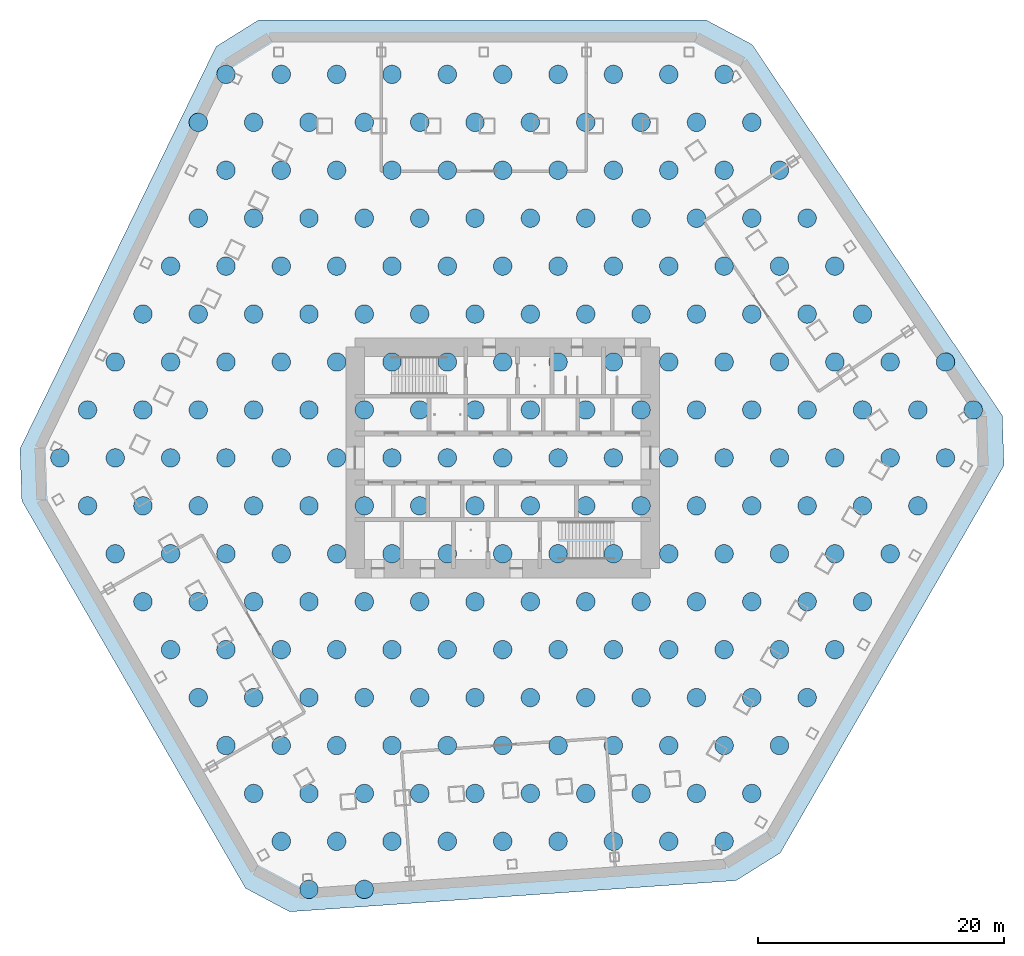
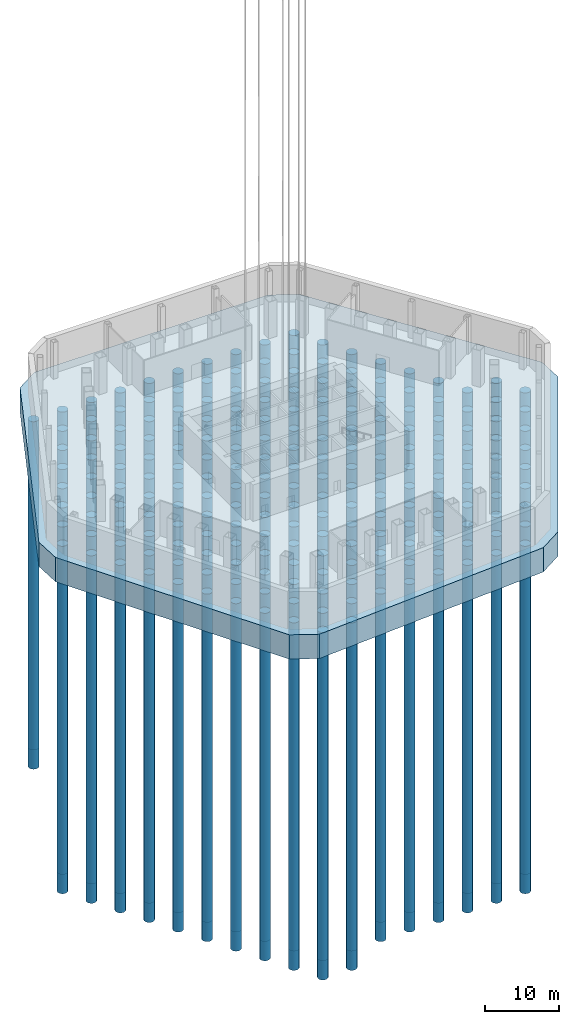
# One storey, part 1 of 12: 223 piles, 1 footing.
"""IFC4 building model written with IfcOpenShell, lengths in metres."""

from ifc_helpers import new_model, si_unit, direction, frame, frame_2d, origin, place, context, subcontext, project, spatial, polyline, circle, outline, extrude, material, layer, layer_set, material_profile, profile_set, type_object, element, save


model = new_model("IFC4")

# Units and contexts
model_context = context("Model", 3, precision=1e-05, world=origin(), true_north=direction((0.0, 1.0)))
body_context = subcontext(model_context, "Body", "Model", "MODEL_VIEW")
ifc_project = project(units=[si_unit("LENGTHUNIT", "METRE"), si_unit("AREAUNIT", "SQUARE_METRE"), si_unit("VOLUMEUNIT", "CUBIC_METRE"), si_unit("PLANEANGLEUNIT", "RADIAN"), si_unit("MASSUNIT", "GRAM", prefix="KILO")], contexts=[model_context])

# Site, building, storey
site_placement = place(None, origin())
site = spatial("IfcSite", under=ifc_project, at=site_placement, CompositionType="ELEMENT")
building_placement = place(site_placement, origin())
building = spatial("IfcBuilding", under=site, at=building_placement, Name="Qingtian Harvest Tower", CompositionType="ELEMENT")
storey_placement = place(building_placement, frame((0.0, 0.0, -12.0)))
storey = spatial("IfcBuildingStorey", under=building, at=storey_placement, Name="B2", CompositionType="ELEMENT", Elevation=-12.0)

# Piles
ifc_material_1 = material(Name="Concrete fc' 42 MPa", Category="concrete")
ifc_material_profile = material_profile(ifc_material_1, circle(Radius=0.75, at=frame_2d((0.0, 0.0), x_axis=(0.999847695156, 0.017452406437))), Name="Bored pile BP1 D1500")
ifc_profile_set = profile_set([ifc_material_profile], Name="Concrete fc' 42 MPa")
pile_type = type_object("IfcPileType", Name="Bored pile BP1 D1500", PredefinedType="BORED", material=ifc_profile_set)
for number, where, z_axis, x_axis, name in (
    (1, (-15.75, -35.073974609375, -4.199951171875), (0.0, 0.0, -1.0), (1.0, 0.0, 0.0), "Bored pile BP1-001"),
    (2, (-11.25, -35.073974609375, -4.199951171875), (0.0, 0.0, -1.0), (1.0, 0.0, 0.0), "Bored pile BP1-002"),
    (3, (-18.0, -31.177001953125, -4.199951171875), (0.0, 0.0, -1.0), (1.0, 0.0, 0.0), "Bored pile BP1-003"),
    (4, (-13.5, -31.177001953125, -4.199951171875), (0.0, 0.0, -1.0), (1.0, 0.0, 0.0), "Bored pile BP1-004"),
    (5, (-9.0, -31.177001953125, -4.199951171875), (0.0, 0.0, -1.0), (1.0, 0.0, 0.0), "Bored pile BP1-005"),
    (6, (-4.5, -31.177001953125, -4.199951171875), (0.0, 0.0, -1.0), (1.0, 0.0, 0.0), "Bored pile BP1-006"),
    (7, (0.0, -31.177001953125, -4.199951171875), (0.0, 0.0, -1.0), (1.0, 0.0, 0.0), "Bored pile BP1-007"),
    (8, (4.5, -31.177001953125, -4.199951171875), (0.0, 0.0, -1.0), (1.0, 0.0, 0.0), "Bored pile BP1-008"),
    (9, (9.0, -31.177001953125, -4.199951171875), (0.0, 0.0, -1.0), (1.0, 0.0, 0.0), "Bored pile BP1-009"),
    (10, (13.5, -31.177001953125, -4.199951171875), (0.0, 0.0, -1.0), (1.0, 0.0, 0.0), "Bored pile BP1-010"),
    (11, (18.0, -31.177001953125, -4.199951171875), (0.0, 0.0, -1.0), (1.0, 0.0, 0.0), "Bored pile BP1-011"),
    (12, (-20.25, -27.27978515625, -4.199951171875), (0.0, 0.0, -1.0), (1.0, 0.0, 0.0), "Bored pile BP1-012"),
    (13, (-15.75, -27.27978515625, -4.199951171875), (0.0, 0.0, -1.0), (1.0, 0.0, 0.0), "Bored pile BP1-013"),
    (14, (-11.25, -27.27978515625, -4.199951171875), (0.0, 0.0, -1.0), (1.0, 0.0, 0.0), "Bored pile BP1-014"),
    (15, (-6.75, -27.27978515625, -4.199951171875), (0.0, 0.0, -1.0), (1.0, 0.0, 0.0), "Bored pile BP1-015"),
    (16, (-2.25, -27.27978515625, -4.199951171875), (0.0, 0.0, -1.0), (1.0, 0.0, 0.0), "Bored pile BP1-016"),
    (17, (2.25, -27.27978515625, -4.199951171875), (0.0, 0.0, -1.0), (1.0, 0.0, 0.0), "Bored pile BP1-017"),
    (18, (6.75, -27.27978515625, -4.199951171875), (0.0, 0.0, -1.0), (1.0, 0.0, 0.0), "Bored pile BP1-018"),
    (19, (11.25, -27.27978515625, -4.199951171875), (0.0, 0.0, -1.0), (1.0, 0.0, 0.0), "Bored pile BP1-019"),
    (20, (15.75, -27.27978515625, -4.199951171875), (0.0, 0.0, -1.0), (1.0, 0.0, 0.0), "Bored pile BP1-020"),
    (21, (20.25, -27.27978515625, -4.199951171875), (0.0, 0.0, -1.0), (1.0, 0.0, 0.0), "Bored pile BP1-021"),
    (22, (-22.5, -23.382568359375, -4.199951171875), (0.0, 0.0, -1.0), (1.0, 0.0, 0.0), "Bored pile BP1-022"),
    (23, (-18.0, -23.382568359375, -4.199951171875), (0.0, 0.0, -1.0), (1.0, 0.0, 0.0), "Bored pile BP1-023"),
    (24, (-13.5, -23.382568359375, -4.199951171875), (0.0, 0.0, -1.0), (1.0, 0.0, 0.0), "Bored pile BP1-024"),
    (25, (-9.0, -23.382568359375, -4.199951171875), (0.0, 0.0, -1.0), (1.0, 0.0, 0.0), "Bored pile BP1-025"),
    (26, (-4.5, -23.382568359375, -4.199951171875), (0.0, 0.0, -1.0), (1.0, 0.0, 0.0), "Bored pile BP1-026"),
    (27, (0.0, -23.382568359375, -4.199951171875), (0.0, 0.0, -1.0), (1.0, 0.0, 0.0), "Bored pile BP1-027"),
    (28, (4.5, -23.382568359375, -4.199951171875), (0.0, 0.0, -1.0), (1.0, 0.0, 0.0), "Bored pile BP1-028"),
    (29, (9.0, -23.382568359375, -4.199951171875), (0.0, 0.0, -1.0), (1.0, 0.0, 0.0), "Bored pile BP1-029"),
    (30, (13.5, -23.382568359375, -4.199951171875), (0.0, 0.0, -1.0), (1.0, 0.0, 0.0), "Bored pile BP1-030"),
    (31, (18.0, -23.382568359375, -4.199951171875), (0.0, 0.0, -1.0), (1.0, 0.0, 0.0), "Bored pile BP1-031"),
    (32, (22.5, -23.382568359375, -4.199951171875), (0.0, 0.0, -1.0), (1.0, 0.0, 0.0), "Bored pile BP1-032"),
    (33, (-24.75, -19.485595703125, -4.199951171875), (0.0, 0.0, -1.0), (1.0, 0.0, 0.0), "Bored pile BP1-033"),
    (34, (-20.25, -19.485595703125, -4.199951171875), (0.0, 0.0, -1.0), (1.0, 0.0, 0.0), "Bored pile BP1-034"),
    (35, (-15.75, -19.485595703125, -4.199951171875), (0.0, 0.0, -1.0), (1.0, 0.0, 0.0), "Bored pile BP1-035"),
    (36, (-11.25, -19.485595703125, -4.199951171875), (0.0, 0.0, -1.0), (1.0, 0.0, 0.0), "Bored pile BP1-036"),
    (37, (-6.75, -19.485595703125, -4.199951171875), (0.0, 0.0, -1.0), (1.0, 0.0, 0.0), "Bored pile BP1-037"),
    (38, (-2.25, -19.485595703125, -4.199951171875), (0.0, 0.0, -1.0), (1.0, 0.0, 0.0), "Bored pile BP1-038"),
    (39, (2.25, -19.485595703125, -4.199951171875), (0.0, 0.0, -1.0), (1.0, 0.0, 0.0), "Bored pile BP1-039"),
    (40, (6.75, -19.485595703125, -4.199951171875), (0.0, 0.0, -1.0), (1.0, 0.0, 0.0), "Bored pile BP1-040"),
    (41, (11.25, -19.485595703125, -4.199951171875), (0.0, 0.0, -1.0), (1.0, 0.0, 0.0), "Bored pile BP1-041"),
    (42, (15.75, -19.485595703125, -4.199951171875), (0.0, 0.0, -1.0), (1.0, 0.0, 0.0), "Bored pile BP1-042"),
    (43, (20.25, -19.485595703125, -4.199951171875), (0.0, 0.0, -1.0), (1.0, 0.0, 0.0), "Bored pile BP1-043"),
    (44, (24.75, -19.485595703125, -4.199951171875), (0.0, 0.0, -1.0), (1.0, 0.0, 0.0), "Bored pile BP1-044"),
    (45, (-27.0, -15.58837890625, -4.199951171875), (0.0, 0.0, -1.0), (1.0, 0.0, 0.0), "Bored pile BP1-045"),
    (46, (-22.5, -15.58837890625, -4.199951171875), (0.0, 0.0, -1.0), (1.0, 0.0, 0.0), "Bored pile BP1-046"),
    (47, (-18.0, -15.58837890625, -4.199951171875), (0.0, 0.0, -1.0), (1.0, 0.0, 0.0), "Bored pile BP1-047"),
    (48, (-13.5, -15.58837890625, -4.199951171875), (0.0, 0.0, -1.0), (1.0, 0.0, 0.0), "Bored pile BP1-048"),
    (49, (-9.0, -15.58837890625, -4.199951171875), (0.0, 0.0, -1.0), (1.0, 0.0, 0.0), "Bored pile BP1-049"),
    (50, (-4.5, -15.58837890625, -4.199951171875), (0.0, 0.0, -1.0), (1.0, 0.0, 0.0), "Bored pile BP1-050"),
    (51, (0.0, -15.58837890625, -4.199951171875), (0.0, 0.0, -1.0), (1.0, 0.0, 0.0), "Bored pile BP1-051"),
    (52, (4.5, -15.58837890625, -4.199951171875), (0.0, 0.0, -1.0), (1.0, 0.0, 0.0), "Bored pile BP1-052"),
    (53, (9.0, -15.58837890625, -4.199951171875), (0.0, 0.0, -1.0), (1.0, 0.0, 0.0), "Bored pile BP1-053"),
    (54, (13.5, -15.58837890625, -4.199951171875), (0.0, 0.0, -1.0), (1.0, 0.0, 0.0), "Bored pile BP1-054"),
    (55, (18.0, -15.58837890625, -4.199951171875), (0.0, 0.0, -1.0), (1.0, 0.0, 0.0), "Bored pile BP1-055"),
    (56, (22.5, -15.58837890625, -4.199951171875), (0.0, 0.0, -1.0), (1.0, 0.0, 0.0), "Bored pile BP1-056"),
    (57, (27.0, -15.58837890625, -4.199951171875), (0.0, 0.0, -1.0), (1.0, 0.0, 0.0), "Bored pile BP1-057"),
    (58, (-29.25, -11.69140625, -4.199951171875), (0.0, 0.0, -1.0), (1.0, 0.0, 0.0), "Bored pile BP1-058"),
    (59, (-24.75, -11.69140625, -4.199951171875), (0.0, 0.0, -1.0), (1.0, 0.0, 0.0), "Bored pile BP1-059"),
    (60, (-20.25, -11.69140625, -4.199951171875), (0.0, 0.0, -1.0), (1.0, 0.0, 0.0), "Bored pile BP1-060"),
    (61, (-15.75, -11.69140625, -4.199951171875), (0.0, 0.0, -1.0), (1.0, 0.0, 0.0), "Bored pile BP1-061"),
    (62, (-11.25, -11.69140625, -4.199951171875), (0.0, 0.0, -1.0), (1.0, 0.0, 0.0), "Bored pile BP1-062"),
    (63, (-6.75, -11.69140625, -4.199951171875), (0.0, 0.0, -1.0), (1.0, 0.0, 0.0), "Bored pile BP1-063"),
    (64, (-2.25, -11.69140625, -4.199951171875), (0.0, 0.0, -1.0), (1.0, 0.0, 0.0), "Bored pile BP1-064"),
    (65, (2.25, -11.69140625, -4.199951171875), (0.0, 0.0, -1.0), (1.0, 0.0, 0.0), "Bored pile BP1-065"),
    (66, (6.75, -11.69140625, -4.199951171875), (0.0, 0.0, -1.0), (1.0, 0.0, 0.0), "Bored pile BP1-066"),
    (67, (11.25, -11.69140625, -4.199951171875), (0.0, 0.0, -1.0), (1.0, 0.0, 0.0), "Bored pile BP1-067"),
    (68, (15.75, -11.69140625, -4.199951171875), (0.0, 0.0, -1.0), (1.0, 0.0, 0.0), "Bored pile BP1-068"),
    (69, (20.25, -11.69140625, -4.199951171875), (0.0, 0.0, -1.0), (1.0, 0.0, 0.0), "Bored pile BP1-069"),
    (70, (24.75, -11.69140625, -4.199951171875), (0.0, 0.0, -1.0), (1.0, 0.0, 0.0), "Bored pile BP1-070"),
    (71, (29.25, -11.69140625, -4.199951171875), (0.0, 0.0, -1.0), (1.0, 0.0, 0.0), "Bored pile BP1-071"),
    (72, (-31.5, -7.794189453125, -4.199951171875), (0.0, 0.0, -1.0), (1.0, 0.0, 0.0), "Bored pile BP1-072"),
    (73, (-27.0, -7.794189453125, -4.199951171875), (0.0, 0.0, -1.0), (1.0, 0.0, 0.0), "Bored pile BP1-073"),
    (74, (-22.5, -7.794189453125, -4.199951171875), (0.0, 0.0, -1.0), (1.0, 0.0, 0.0), "Bored pile BP1-074"),
    (75, (-18.0, -7.794189453125, -4.199951171875), (0.0, 0.0, -1.0), (1.0, 0.0, 0.0), "Bored pile BP1-075"),
    (76, (-13.5, -7.794189453125, -4.199951171875), (0.0, 0.0, -1.0), (1.0, 0.0, 0.0), "Bored pile BP1-076"),
    (77, (-9.0, -7.794189453125, -4.199951171875), (0.0, 0.0, -1.0), (1.0, 0.0, 0.0), "Bored pile BP1-077"),
    (78, (-4.5, -7.794189453125, -4.199951171875), (0.0, 0.0, -1.0), (1.0, 0.0, 0.0), "Bored pile BP1-078"),
    (79, (0.0, -7.794189453125, -4.199951171875), (0.0, 0.0, -1.0), (1.0, 0.0, 0.0), "Bored pile BP1-079"),
    (80, (4.5, -7.794189453125, -4.199951171875), (0.0, 0.0, -1.0), (1.0, 0.0, 0.0), "Bored pile BP1-080"),
    (81, (9.0, -7.794189453125, -4.199951171875), (0.0, 0.0, -1.0), (1.0, 0.0, 0.0), "Bored pile BP1-081"),
    (82, (13.5, -7.794189453125, -4.199951171875), (0.0, 0.0, -1.0), (1.0, 0.0, 0.0), "Bored pile BP1-082"),
    (83, (18.0, -7.794189453125, -4.199951171875), (0.0, 0.0, -1.0), (1.0, 0.0, 0.0), "Bored pile BP1-083"),
    (84, (22.5, -7.794189453125, -4.199951171875), (0.0, 0.0, -1.0), (1.0, 0.0, 0.0), "Bored pile BP1-084"),
    (85, (27.0, -7.794189453125, -4.199951171875), (0.0, 0.0, -1.0), (1.0, 0.0, 0.0), "Bored pile BP1-085"),
    (86, (31.5, -7.794189453125, -4.199951171875), (0.0, 0.0, -1.0), (1.0, 0.0, 0.0), "Bored pile BP1-086"),
    (87, (-33.75, -3.897216796875, -4.199951171875), (0.0, 0.0, -1.0), (1.0, 0.0, 0.0), "Bored pile BP1-087"),
    (88, (-29.25, -3.897216796875, -4.199951171875), (0.0, 0.0, -1.0), (1.0, 0.0, 0.0), "Bored pile BP1-088"),
    (89, (-24.75, -3.897216796875, -4.199951171875), (0.0, 0.0, -1.0), (1.0, 0.0, 0.0), "Bored pile BP1-089"),
    (90, (-20.25, -3.897216796875, -4.199951171875), (0.0, 0.0, -1.0), (1.0, 0.0, 0.0), "Bored pile BP1-090"),
    (91, (-15.75, -3.897216796875, -4.199951171875), (0.0, 0.0, -1.0), (1.0, 0.0, 0.0), "Bored pile BP1-091"),
    (92, (-11.25, -3.897216796875, -4.199951171875), (0.0, 0.0, -1.0), (1.0, 0.0, 0.0), "Bored pile BP1-092"),
    (93, (-6.75, -3.897216796875, -4.199951171875), (0.0, 0.0, -1.0), (1.0, 0.0, 0.0), "Bored pile BP1-093"),
    (94, (-2.25, -3.897216796875, -4.199951171875), (0.0, 0.0, -1.0), (1.0, 0.0, 0.0), "Bored pile BP1-094"),
    (95, (2.25, -3.897216796875, -4.199951171875), (0.0, 0.0, -1.0), (1.0, 0.0, 0.0), "Bored pile BP1-095"),
    (96, (6.75, -3.897216796875, -4.199951171875), (0.0, 0.0, -1.0), (1.0, 0.0, 0.0), "Bored pile BP1-096"),
    (97, (11.25, -3.897216796875, -4.199951171875), (0.0, 0.0, -1.0), (1.0, 0.0, 0.0), "Bored pile BP1-097"),
    (98, (15.75, -3.897216796875, -4.199951171875), (0.0, 0.0, -1.0), (1.0, 0.0, 0.0), "Bored pile BP1-098"),
    (99, (20.25, -3.897216796875, -4.199951171875), (0.0, 0.0, -1.0), (1.0, 0.0, 0.0), "Bored pile BP1-099"),
    (100, (24.75, -3.897216796875, -4.199951171875), (0.0, 0.0, -1.0), (1.0, 0.0, 0.0), "Bored pile BP1-100"),
    (101, (29.25, -3.897216796875, -4.199951171875), (0.0, 0.0, -1.0), (1.0, 0.0, 0.0), "Bored pile BP1-101"),
    (102, (33.75, -3.897216796875, -4.199951171875), (0.0, 0.0, -1.0), (1.0, 0.0, 0.0), "Bored pile BP1-102"),
    (103, (-36.0, 0.0, -4.199951171875), (0.0, 0.0, -1.0), (1.0, 0.0, 0.0), "Bored pile BP1-103"),
    (104, (-31.5, 0.0, -4.199951171875), (0.0, 0.0, -1.0), (1.0, 0.0, 0.0), "Bored pile BP1-104"),
    (105, (-27.0, 0.0, -4.199951171875), (0.0, 0.0, -1.0), (1.0, 0.0, 0.0), "Bored pile BP1-105"),
    (106, (-22.5, 0.0, -4.199951171875), (0.0, 0.0, -1.0), (1.0, 0.0, 0.0), "Bored pile BP1-106"),
    (107, (-18.0, 0.0, -4.199951171875), (0.0, 0.0, -1.0), (1.0, 0.0, 0.0), "Bored pile BP1-107"),
    (108, (-13.5, 0.0, -4.199951171875), (0.0, 0.0, -1.0), (1.0, 0.0, 0.0), "Bored pile BP1-108"),
    (109, (-9.0, 0.0, -4.199951171875), (0.0, 0.0, -1.0), (1.0, 0.0, 0.0), "Bored pile BP1-109"),
    (110, (-4.5, 0.0, -4.199951171875), (0.0, 0.0, -1.0), (1.0, 0.0, 0.0), "Bored pile BP1-110"),
    (111, (0.0, 0.0, -4.199951171875), (0.0, 0.0, -1.0), (1.0, 0.0, 0.0), "Bored pile BP1-111"),
    (112, (4.5, 0.0, -4.199951171875), (0.0, 0.0, -1.0), (1.0, 0.0, 0.0), "Bored pile BP1-112"),
    (113, (9.0, 0.0, -4.199951171875), (0.0, 0.0, -1.0), (1.0, 0.0, 0.0), "Bored pile BP1-113"),
    (114, (13.5, 0.0, -4.199951171875), (0.0, 0.0, -1.0), (1.0, 0.0, 0.0), "Bored pile BP1-114"),
    (115, (18.0, 0.0, -4.199951171875), (0.0, 0.0, -1.0), (1.0, 0.0, 0.0), "Bored pile BP1-115"),
    (116, (22.5, 0.0, -4.199951171875), (0.0, 0.0, -1.0), (1.0, 0.0, 0.0), "Bored pile BP1-116"),
    (117, (27.0, 0.0, -4.199951171875), (0.0, 0.0, -1.0), (1.0, 0.0, 0.0), "Bored pile BP1-117"),
    (118, (31.5, 0.0, -4.199951171875), (0.0, 0.0, -1.0), (1.0, 0.0, 0.0), "Bored pile BP1-118"),
    (119, (36.0, 0.0, -4.199951171875), (0.0, 0.0, -1.0), (1.0, 0.0, 0.0), "Bored pile BP1-119"),
    (120, (-33.75, 3.897216796875, -4.199951171875), (0.0, 0.0, -1.0), (1.0, 0.0, 0.0), "Bored pile BP1-120"),
    (121, (-29.25, 3.897216796875, -4.199951171875), (0.0, 0.0, -1.0), (1.0, 0.0, 0.0), "Bored pile BP1-121"),
    (122, (-24.75, 3.897216796875, -4.199951171875), (0.0, 0.0, -1.0), (1.0, 0.0, 0.0), "Bored pile BP1-122"),
    (123, (-20.25, 3.897216796875, -4.199951171875), (0.0, 0.0, -1.0), (1.0, 0.0, 0.0), "Bored pile BP1-123"),
    (124, (-15.75, 3.897216796875, -4.199951171875), (0.0, 0.0, -1.0), (1.0, 0.0, 0.0), "Bored pile BP1-124"),
    (125, (-11.25, 3.897216796875, -4.199951171875), (0.0, 0.0, -1.0), (1.0, 0.0, 0.0), "Bored pile BP1-125"),
    (126, (-6.75, 3.897216796875, -4.199951171875), (0.0, 0.0, -1.0), (1.0, 0.0, 0.0), "Bored pile BP1-126"),
    (127, (-2.25, 3.897216796875, -4.199951171875), (0.0, 0.0, -1.0), (1.0, 0.0, 0.0), "Bored pile BP1-127"),
    (128, (2.25, 3.897216796875, -4.199951171875), (0.0, 0.0, -1.0), (1.0, 0.0, 0.0), "Bored pile BP1-128"),
    (129, (6.75, 3.897216796875, -4.199951171875), (0.0, 0.0, -1.0), (1.0, 0.0, 0.0), "Bored pile BP1-129"),
    (130, (11.25, 3.897216796875, -4.199951171875), (0.0, 0.0, -1.0), (1.0, 0.0, 0.0), "Bored pile BP1-130"),
    (131, (15.75, 3.897216796875, -4.199951171875), (0.0, 0.0, -1.0), (1.0, 0.0, 0.0), "Bored pile BP1-131"),
    (132, (20.25, 3.897216796875, -4.199951171875), (0.0, 0.0, -1.0), (1.0, 0.0, 0.0), "Bored pile BP1-132"),
    (133, (24.75, 3.897216796875, -4.199951171875), (0.0, 0.0, -1.0), (1.0, 0.0, 0.0), "Bored pile BP1-133"),
    (134, (29.25, 3.897216796875, -4.199951171875), (0.0, 0.0, -1.0), (1.0, 0.0, 0.0), "Bored pile BP1-134"),
    (135, (33.75, 3.897216796875, -4.199951171875), (0.0, 0.0, -1.0), (1.0, 0.0, 0.0), "Bored pile BP1-135"),
    (136, (38.25, 3.897216796875, -4.199951171875), (0.0, 0.0, -1.0), (1.0, 0.0, 0.0), "Bored pile BP1-136"),
    (137, (-31.5, 7.794189453125, -4.199951171875), (0.0, 0.0, -1.0), (1.0, 0.0, 0.0), "Bored pile BP1-137"),
    (138, (-27.0, 7.794189453125, -4.199951171875), (0.0, 0.0, -1.0), (1.0, 0.0, 0.0), "Bored pile BP1-138"),
    (139, (-22.5, 7.794189453125, -4.199951171875), (0.0, 0.0, -1.0), (1.0, 0.0, 0.0), "Bored pile BP1-139"),
    (140, (-18.0, 7.794189453125, -4.199951171875), (0.0, 0.0, -1.0), (1.0, 0.0, 0.0), "Bored pile BP1-140"),
    (141, (-13.5, 7.794189453125, -4.199951171875), (0.0, 0.0, -1.0), (1.0, 0.0, 0.0), "Bored pile BP1-141"),
    (142, (-9.0, 7.794189453125, -4.199951171875), (0.0, 0.0, -1.0), (1.0, 0.0, 0.0), "Bored pile BP1-142"),
    (143, (-4.5, 7.794189453125, -4.199951171875), (0.0, 0.0, -1.0), (1.0, 0.0, 0.0), "Bored pile BP1-143"),
    (144, (0.0, 7.794189453125, -4.199951171875), (0.0, 0.0, -1.0), (1.0, 0.0, 0.0), "Bored pile BP1-144"),
    (145, (4.5, 7.794189453125, -4.199951171875), (0.0, 0.0, -1.0), (1.0, 0.0, 0.0), "Bored pile BP1-145"),
    (146, (9.0, 7.794189453125, -4.199951171875), (0.0, 0.0, -1.0), (1.0, 0.0, 0.0), "Bored pile BP1-146"),
    (147, (13.5, 7.794189453125, -4.199951171875), (0.0, 0.0, -1.0), (1.0, 0.0, 0.0), "Bored pile BP1-147"),
    (148, (18.0, 7.794189453125, -4.199951171875), (0.0, 0.0, -1.0), (1.0, 0.0, 0.0), "Bored pile BP1-148"),
    (149, (22.5, 7.794189453125, -4.199951171875), (0.0, 0.0, -1.0), (1.0, 0.0, 0.0), "Bored pile BP1-149"),
    (150, (27.0, 7.794189453125, -4.199951171875), (0.0, 0.0, -1.0), (1.0, 0.0, 0.0), "Bored pile BP1-150"),
    (151, (31.5, 7.794189453125, -4.199951171875), (0.0, 0.0, -1.0), (1.0, 0.0, 0.0), "Bored pile BP1-151"),
    (152, (36.0, 7.794189453125, -4.199951171875), (0.0, 0.0, -1.0), (1.0, 0.0, 0.0), "Bored pile BP1-152"),
    (153, (-29.25, 11.69140625, -4.199951171875), (0.0, 0.0, -1.0), (1.0, 0.0, 0.0), "Bored pile BP1-153"),
    (154, (-24.75, 11.69140625, -4.199951171875), (0.0, 0.0, -1.0), (1.0, 0.0, 0.0), "Bored pile BP1-154"),
    (155, (-20.25, 11.69140625, -4.199951171875), (0.0, 0.0, -1.0), (1.0, 0.0, 0.0), "Bored pile BP1-155"),
    (156, (-15.75, 11.69140625, -4.199951171875), (0.0, 0.0, -1.0), (1.0, 0.0, 0.0), "Bored pile BP1-156"),
    (157, (-11.25, 11.69140625, -4.199951171875), (0.0, 0.0, -1.0), (1.0, 0.0, 0.0), "Bored pile BP1-157"),
    (158, (-6.75, 11.69140625, -4.199951171875), (0.0, 0.0, -1.0), (1.0, 0.0, 0.0), "Bored pile BP1-158"),
    (159, (-2.25, 11.69140625, -4.199951171875), (0.0, 0.0, -1.0), (1.0, 0.0, 0.0), "Bored pile BP1-159"),
    (160, (2.25, 11.69140625, -4.199951171875), (0.0, 0.0, -1.0), (1.0, 0.0, 0.0), "Bored pile BP1-160"),
    (161, (6.75, 11.69140625, -4.199951171875), (0.0, 0.0, -1.0), (1.0, 0.0, 0.0), "Bored pile BP1-161"),
    (162, (11.25, 11.69140625, -4.199951171875), (0.0, 0.0, -1.0), (1.0, 0.0, 0.0), "Bored pile BP1-162"),
    (163, (15.75, 11.69140625, -4.199951171875), (0.0, 0.0, -1.0), (1.0, 0.0, 0.0), "Bored pile BP1-163"),
    (164, (20.25, 11.69140625, -4.199951171875), (0.0, 0.0, -1.0), (1.0, 0.0, 0.0), "Bored pile BP1-164"),
    (165, (24.75, 11.69140625, -4.199951171875), (0.0, 0.0, -1.0), (1.0, 0.0, 0.0), "Bored pile BP1-165"),
    (166, (29.25, 11.69140625, -4.199951171875), (0.0, 0.0, -1.0), (1.0, 0.0, 0.0), "Bored pile BP1-166"),
    (167, (-27.0, 15.58837890625, -4.199951171875), (0.0, 0.0, -1.0), (1.0, 0.0, 0.0), "Bored pile BP1-167"),
    (168, (-22.5, 15.58837890625, -4.199951171875), (0.0, 0.0, -1.0), (1.0, 0.0, 0.0), "Bored pile BP1-168"),
    (169, (-18.0, 15.58837890625, -4.199951171875), (0.0, 0.0, -1.0), (1.0, 0.0, 0.0), "Bored pile BP1-169"),
    (170, (-13.5, 15.58837890625, -4.199951171875), (0.0, 0.0, -1.0), (1.0, 0.0, 0.0), "Bored pile BP1-170"),
    (171, (-9.0, 15.58837890625, -4.199951171875), (0.0, 0.0, -1.0), (1.0, 0.0, 0.0), "Bored pile BP1-171"),
    (172, (-4.5, 15.58837890625, -4.199951171875), (0.0, 0.0, -1.0), (1.0, 0.0, 0.0), "Bored pile BP1-172"),
    (173, (0.0, 15.58837890625, -4.199951171875), (0.0, 0.0, -1.0), (1.0, 0.0, 0.0), "Bored pile BP1-173"),
    (174, (4.5, 15.58837890625, -4.199951171875), (0.0, 0.0, -1.0), (1.0, 0.0, 0.0), "Bored pile BP1-174"),
    (175, (9.0, 15.58837890625, -4.199951171875), (0.0, 0.0, -1.0), (1.0, 0.0, 0.0), "Bored pile BP1-175"),
    (176, (13.5, 15.58837890625, -4.199951171875), (0.0, 0.0, -1.0), (1.0, 0.0, 0.0), "Bored pile BP1-176"),
    (177, (18.0, 15.58837890625, -4.199951171875), (0.0, 0.0, -1.0), (1.0, 0.0, 0.0), "Bored pile BP1-177"),
    (178, (22.5, 15.58837890625, -4.199951171875), (0.0, 0.0, -1.0), (1.0, 0.0, 0.0), "Bored pile BP1-178"),
    (179, (27.0, 15.58837890625, -4.199951171875), (0.0, 0.0, -1.0), (1.0, 0.0, 0.0), "Bored pile BP1-179"),
    (180, (-24.75, 19.485595703125, -4.199951171875), (0.0, 0.0, -1.0), (1.0, 0.0, 0.0), "Bored pile BP1-180"),
    (181, (-20.25, 19.485595703125, -4.199951171875), (0.0, 0.0, -1.0), (1.0, 0.0, 0.0), "Bored pile BP1-181"),
    (182, (-15.75, 19.485595703125, -4.199951171875), (0.0, 0.0, -1.0), (1.0, 0.0, 0.0), "Bored pile BP1-182"),
    (183, (-11.25, 19.485595703125, -4.199951171875), (0.0, 0.0, -1.0), (1.0, 0.0, 0.0), "Bored pile BP1-183"),
    (184, (-6.75, 19.485595703125, -4.199951171875), (0.0, 0.0, -1.0), (1.0, 0.0, 0.0), "Bored pile BP1-184"),
    (185, (-2.25, 19.485595703125, -4.199951171875), (0.0, 0.0, -1.0), (1.0, 0.0, 0.0), "Bored pile BP1-185"),
    (186, (2.25, 19.485595703125, -4.199951171875), (0.0, 0.0, -1.0), (1.0, 0.0, 0.0), "Bored pile BP1-186"),
    (187, (6.75, 19.485595703125, -4.199951171875), (0.0, 0.0, -1.0), (1.0, 0.0, 0.0), "Bored pile BP1-187"),
    (188, (11.25, 19.485595703125, -4.199951171875), (0.0, 0.0, -1.0), (1.0, 0.0, 0.0), "Bored pile BP1-188"),
    (189, (15.75, 19.485595703125, -4.199951171875), (0.0, 0.0, -1.0), (1.0, 0.0, 0.0), "Bored pile BP1-189"),
    (190, (20.25, 19.485595703125, -4.199951171875), (0.0, 0.0, -1.0), (1.0, 0.0, 0.0), "Bored pile BP1-190"),
    (191, (24.75, 19.485595703125, -4.199951171875), (0.0, 0.0, -1.0), (1.0, 0.0, 0.0), "Bored pile BP1-191"),
    (192, (-22.5, 23.382568359375, -4.199951171875), (0.0, 0.0, -1.0), (1.0, 0.0, 0.0), "Bored pile BP1-192"),
    (193, (-18.0, 23.382568359375, -4.199951171875), (0.0, 0.0, -1.0), (1.0, 0.0, 0.0), "Bored pile BP1-193"),
    (194, (-13.5, 23.382568359375, -4.199951171875), (0.0, 0.0, -1.0), (1.0, 0.0, 0.0), "Bored pile BP1-194"),
    (195, (-9.0, 23.382568359375, -4.199951171875), (0.0, 0.0, -1.0), (1.0, 0.0, 0.0), "Bored pile BP1-195"),
    (196, (-4.5, 23.382568359375, -4.199951171875), (0.0, 0.0, -1.0), (1.0, 0.0, 0.0), "Bored pile BP1-196"),
    (197, (0.0, 23.382568359375, -4.199951171875), (0.0, 0.0, -1.0), (1.0, 0.0, 0.0), "Bored pile BP1-197"),
    (198, (4.5, 23.382568359375, -4.199951171875), (0.0, 0.0, -1.0), (1.0, 0.0, 0.0), "Bored pile BP1-198"),
    (199, (9.0, 23.382568359375, -4.199951171875), (0.0, 0.0, -1.0), (1.0, 0.0, 0.0), "Bored pile BP1-199"),
    (200, (13.5, 23.382568359375, -4.199951171875), (0.0, 0.0, -1.0), (1.0, 0.0, 0.0), "Bored pile BP1-200"),
    (201, (18.0, 23.382568359375, -4.199951171875), (0.0, 0.0, -1.0), (1.0, 0.0, 0.0), "Bored pile BP1-201"),
    (202, (22.5, 23.382568359375, -4.199951171875), (0.0, 0.0, -1.0), (1.0, 0.0, 0.0), "Bored pile BP1-202"),
    (203, (-24.75, 27.27978515625, -4.199951171875), (0.0, 0.0, -1.0), (1.0, 0.0, 0.0), "Bored pile BP1-203"),
    (204, (-20.25, 27.27978515625, -4.199951171875), (0.0, 0.0, -1.0), (1.0, 0.0, 0.0), "Bored pile BP1-204"),
    (205, (-15.75, 27.27978515625, -4.199951171875), (0.0, 0.0, -1.0), (1.0, 0.0, 0.0), "Bored pile BP1-205"),
    (206, (-11.25, 27.27978515625, -4.199951171875), (0.0, 0.0, -1.0), (1.0, 0.0, 0.0), "Bored pile BP1-206"),
    (207, (-6.75, 27.27978515625, -4.199951171875), (0.0, 0.0, -1.0), (1.0, 0.0, 0.0), "Bored pile BP1-207"),
    (208, (-2.25, 27.27978515625, -4.199951171875), (0.0, 0.0, -1.0), (1.0, 0.0, 0.0), "Bored pile BP1-208"),
    (209, (2.25, 27.27978515625, -4.199951171875), (0.0, 0.0, -1.0), (1.0, 0.0, 0.0), "Bored pile BP1-209"),
    (210, (6.75, 27.27978515625, -4.199951171875), (0.0, 0.0, -1.0), (1.0, 0.0, 0.0), "Bored pile BP1-210"),
    (211, (11.25, 27.27978515625, -4.199951171875), (0.0, 0.0, -1.0), (1.0, 0.0, 0.0), "Bored pile BP1-211"),
    (212, (15.75, 27.27978515625, -4.199951171875), (0.0, 0.0, -1.0), (1.0, 0.0, 0.0), "Bored pile BP1-212"),
    (213, (20.25, 27.27978515625, -4.199951171875), (0.0, 0.0, -1.0), (1.0, 0.0, 0.0), "Bored pile BP1-213"),
    (214, (-22.5, 31.177001953125, -4.199951171875), (0.0, 0.0, -1.0), (1.0, 0.0, 0.0), "Bored pile BP1-214"),
    (215, (-18.0, 31.177001953125, -4.199951171875), (0.0, 0.0, -1.0), (1.0, 0.0, 0.0), "Bored pile BP1-215"),
    (216, (-13.5, 31.177001953125, -4.199951171875), (0.0, 0.0, -1.0), (1.0, 0.0, 0.0), "Bored pile BP1-216"),
    (217, (-9.0, 31.177001953125, -4.199951171875), (0.0, 0.0, -1.0), (1.0, 0.0, 0.0), "Bored pile BP1-217"),
    (218, (-4.5, 31.177001953125, -4.199951171875), (0.0, 0.0, -1.0), (1.0, 0.0, 0.0), "Bored pile BP1-218"),
    (219, (0.0, 31.177001953125, -4.199951171875), (0.0, 0.0, -1.0), (1.0, 0.0, 0.0), "Bored pile BP1-219"),
    (220, (4.5, 31.177001953125, -4.199951171875), (0.0, 0.0, -1.0), (1.0, 0.0, 0.0), "Bored pile BP1-220"),
    (221, (9.0, 31.177001953125, -4.199951171875), (0.0, 0.0, -1.0), (1.0, 0.0, 0.0), "Bored pile BP1-221"),
    (222, (13.5, 31.177001953125, -4.199951171875), (0.0, 0.0, -1.0), (1.0, 0.0, 0.0), "Bored pile BP1-222"),
    (223, (18.0, 31.177001953125, -4.199951171875), (0.0, 0.0, -1.0), (1.0, 0.0, 0.0), "Bored pile BP1-223"),
):
    element("IfcPile", number, at=place(storey_placement, frame(where, z_axis=z_axis, x_axis=x_axis)), inside=storey, type_object=pile_type, Name=name, PredefinedType="BORED", context=body_context, shape_type="SweptSolid", body=[
        extrude(circle(Radius=0.75, at=frame_2d((0.0, 0.0), x_axis=(0.999847695156, 0.017452406437))), origin(), (0.0, 0.0, 1.0), 54.0),
    ])

# Footing
ifc_material_2 = material(Name="Concrete fc' 42 MPa", Category="concrete")
ifc_layer = layer(ifc_material_2, 4.0)
ifc_layer_set = layer_set([ifc_layer], Name="Piled raft RF1 4000")
footing_type = type_object("IfcFootingType", Name="Piled raft RF1 4000", PredefinedType="PILE_CAP", material=ifc_layer_set)
footing_placement = place(storey_placement, frame((0.0, 0.0, -4.199951171875)))
element("IfcFooting", 224, at=footing_placement, inside=storey, type_object=footing_type, Name="Piled raft RF1", PredefinedType="PILE_CAP", context=body_context, shape_type="SweptSolid", body=[
    extrude(outline(polyline([(-19.845458984375, 35.60009765625), (16.52880859375, 35.60009765625), (20.27099609375, 33.6103515625), (40.611083984375, 3.454833984375), (40.753173828125, -0.613525390625), (22.566162109375, -32.114501953125), (18.971923828125, -34.3603515625), (-17.313720703125, -36.897705078125), (-20.90771484375, -34.986572265625), (-39.094970703125, -3.485595703125), (-39.242919921875, 0.75), (-23.29736328125, 33.44287109375), (-19.845458984375, 35.60009765625)])), origin(), (0.0, 0.0, 1.0), 4.0),
])

save(model, "model.ifc")
